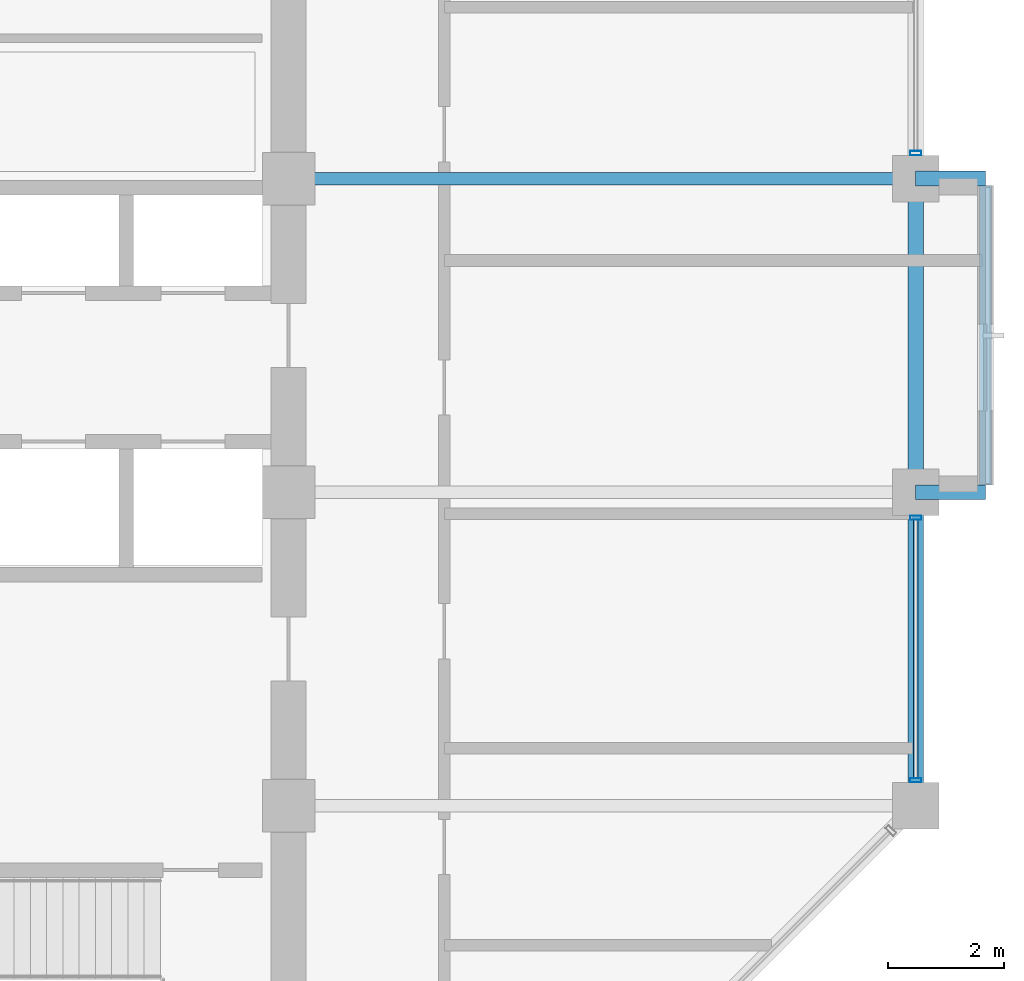
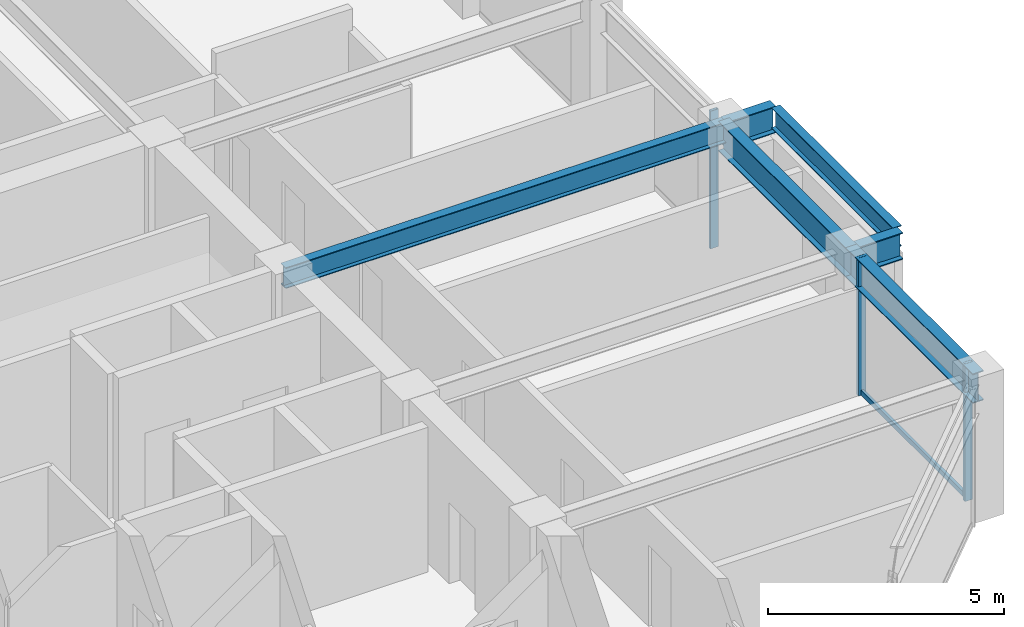
# One storey, part 11 of 28: 6 beams, 4 members, 2 elements without a shape of their own.
"""IFC4 building model written with IfcOpenShell, lengths in metres."""

from ifc_helpers import new_model, si_unit, direction, frame, origin, origin_2d, place, context, subcontext, project, spatial, hollow_rectangle, i_section, extrude, material, layer, layer_set, material_profile, profile_set, type_object, element, aggregate, save


model = new_model("IFC4")

# Units and contexts
model_context = context("Model", 3, precision=1e-05, world=origin(), true_north=direction((0.0, 1.0)))
body_context = subcontext(model_context, "Body", "Model", "MODEL_VIEW")
ifc_project = project(units=[si_unit("LENGTHUNIT", "METRE"), si_unit("AREAUNIT", "SQUARE_METRE"), si_unit("VOLUMEUNIT", "CUBIC_METRE"), si_unit("PLANEANGLEUNIT", "RADIAN"), si_unit("MASSUNIT", "GRAM", prefix="KILO")], contexts=[model_context])

# Site, building, storey
site_placement = place(None, origin())
site = spatial("IfcSite", under=ifc_project, at=site_placement, CompositionType="ELEMENT")
building_placement = place(site_placement, origin())
building = spatial("IfcBuilding", under=site, at=building_placement, Name="Surkhivell Harbour Commons", CompositionType="ELEMENT")
storey_placement = place(building_placement, frame((0.0, 0.0, 242.25)))
storey = spatial("IfcBuildingStorey", under=building, at=storey_placement, Name="L63", CompositionType="ELEMENT", Elevation=242.25)

# Beams
ifc_material_1 = material(Name="Steel S460", Category="steel")
ifc_material_profile_1 = material_profile(ifc_material_1, i_section(OverallWidth=0.256103515625, OverallDepth=0.693115234375, WebThickness=0.014404296875, FlangeThickness=0.023681640625, at=origin_2d()), Name="UB686x254x170")
ifc_profile_set_1 = profile_set([ifc_material_profile_1], Name="Steel S460")
beam_type_1 = type_object("IfcBeamType", Name="BM-CNT-686", PredefinedType="BEAM", material=ifc_profile_set_1)
for number, where, z_axis, x_axis, name in (
    (1, (21.60009765625, 0.0, 3.223388671875), (1.0, 0.0, 0.0), (0.0, 1.0, 0.0), "L63 Box Cantilever Outrigger (21.6,0.0)"),
    (2, (21.60009765625, 5.39990234375, 3.223388671875), (1.0, 0.0, 0.0), (0.0, 1.0, 0.0), "L63 Box Cantilever Outrigger (21.6,5.4)"),
):
    element("IfcBeam", number, at=place(storey_placement, frame(where, z_axis=z_axis, x_axis=x_axis)), inside=storey, type_object=beam_type_1, Name=name, PredefinedType="BEAM", context=body_context, shape_type="SweptSolid", body=[
        extrude(i_section(OverallWidth=0.256103515625, OverallDepth=0.693115234375, WebThickness=0.014404296875, FlangeThickness=0.023681640625, at=origin_2d()), origin(), (0.0, 0.0, 1.0), 1.199951171875),
    ])
ifc_material_2 = material(Name="Steel S355", Category="steel")
ifc_material_profile_2 = material_profile(ifc_material_2, i_section(OverallWidth=0.2119140625, OverallDepth=0.5439453125, WebThickness=0.0126953125, FlangeThickness=0.021240234375, at=origin_2d()), Name="UB533x210x122")
ifc_profile_set_2 = profile_set([ifc_material_profile_2], Name="Steel S355")
beam_type_2 = type_object("IfcBeamType", Name="BM-GRD-533A", PredefinedType="BEAM", material=ifc_profile_set_2)
beam_1_placement = place(storey_placement, frame((10.800048828125, 5.39990234375, 3.298095703125), z_axis=(1.0, 0.0, 0.0), x_axis=(0.0, 1.0, 0.0)))
element("IfcBeam", 3, at=beam_1_placement, inside=storey, type_object=beam_type_2, Name="L63 Floor Girder (10.8,5.4)", PredefinedType="BEAM", context=body_context, shape_type="SweptSolid", body=[
    extrude(i_section(OverallWidth=0.2119140625, OverallDepth=0.5439453125, WebThickness=0.0126953125, FlangeThickness=0.021240234375, at=origin_2d()), origin(), (0.0, 0.0, 1.0), 10.800048828125),
])
ifc_material_profile_3 = material_profile(ifc_material_2, i_section(OverallWidth=0.2099609375, OverallDepth=0.537109375, WebThickness=0.0107421875, FlangeThickness=0.017333984375, at=origin_2d()), Name="UB533x210x101")
ifc_profile_set_3 = profile_set([ifc_material_profile_3], Name="Steel S355")
beam_type_3 = type_object("IfcBeamType", Name="BM-GRD-533B", PredefinedType="BEAM", material=ifc_profile_set_3)
beam_2_placement = place(storey_placement, frame((22.800048828125, 0.1220703125, 3.301513671875), z_axis=(0.0, 1.0, 0.0), x_axis=(-1.0, 0.0, 0.0)))
element("IfcBeam", 4, at=beam_2_placement, inside=storey, type_object=beam_type_3, Name="L63 Box Rim Spandrel (22.8,0.0)", PredefinedType="BEAM", context=body_context, shape_type="SweptSolid", body=[
    extrude(i_section(OverallWidth=0.2099609375, OverallDepth=0.537109375, WebThickness=0.0107421875, FlangeThickness=0.017333984375, at=origin_2d()), origin(), (0.0, 0.0, 1.0), 5.156005859375),
])
ifc_material_profile_4 = material_profile(ifc_material_2, i_section(OverallWidth=0.26806640625, OverallDepth=0.77001953125, WebThickness=0.015625, FlangeThickness=0.025390625, at=origin_2d()), Name="UB762x267x197")
ifc_profile_set_4 = profile_set([ifc_material_profile_4], Name="Steel S355")
beam_type_4 = type_object("IfcBeamType", Name="BM-SPN-762", PredefinedType="SPANDREL", material=ifc_profile_set_4)
for number, where, z_axis, x_axis, name in (
    (5, (21.60009765625, -5.39990234375, 3.18505859375), (0.0, 1.0, 0.0), (-1.0, 0.0, 0.0), "L63 Tube Spandrel (21.6,-5.4)"),
    (6, (21.60009765625, 0.0, 3.18505859375), (0.0, 1.0, 0.0), (-1.0, 0.0, 0.0), "L63 Tube Spandrel (21.6,0.0)"),
):
    element("IfcBeam", number, at=place(storey_placement, frame(where, z_axis=z_axis, x_axis=x_axis)), inside=storey, type_object=beam_type_4, Name=name, PredefinedType="SPANDREL", context=body_context, shape_type="SweptSolid", body=[
        extrude(i_section(OverallWidth=0.26806640625, OverallDepth=0.77001953125, WebThickness=0.015625, FlangeThickness=0.025390625, at=origin_2d()), origin(), (0.0, 0.0, 1.0), 5.39990234375),
    ])

# Curtain wall, members
ifc_material_3 = material(Name="Anodised pale-metal aluminium and insulated glazing", Category="aluminium")
ifc_layer = layer(ifc_material_3, 0.18994140625)
ifc_layer_set = layer_set([ifc_layer], Name="Anodised pale-metal aluminium and insulated glazing")
curtain_wall_type = type_object("IfcCurtainWallType", Name="CW-SYS-Z3", PredefinedType="NOTDEFINED", material=ifc_layer_set)
curtain_wall_1_placement = place(storey_placement, origin())
curtain_wall_1 = element("IfcCurtainWall", 7, at=curtain_wall_1_placement, inside=storey, type_object=curtain_wall_type, Name="L63 Curtain Wall CW-L63-E02R1", PredefinedType="NOTDEFINED")
ifc_material_4 = material(Name="Anodised pale-metal aluminium alloy 6063-T6", Category="aluminium")
ifc_material_profile_5 = material_profile(ifc_material_4, hollow_rectangle(XDim=0.074951171875, YDim=0.18994140625, WallThickness=0.00390625, at=origin_2d()), Name="ALU-MULL-75x190")
ifc_profile_set_5 = profile_set([ifc_material_profile_5], Name="Anodised pale-metal aluminium alloy 6063-T6")
member_type_1 = type_object("IfcMemberType", Name="CWM-190", PredefinedType="MULLION", material=ifc_profile_set_5)
member_1_placement = place(storey_placement, frame((21.60009765625, -4.96044921875, 0.0), z_axis=(0.0, 0.0, 1.0), x_axis=(0.0, 1.0, 0.0)))
member_1 = element("IfcMember", 8, at=member_1_placement, type_object=member_type_1, Name="CW-Z3 mullion 1", PredefinedType="MULLION", context=body_context, shape_type="SweptSolid", body=[
    extrude(hollow_rectangle(XDim=0.074951171875, YDim=0.18994140625, WallThickness=0.00390625, at=origin_2d()), origin(), (0.0, 0.0, 1.0), 3.570068359375),
])
member_2_placement = place(storey_placement, frame((21.60009765625, -0.439453125, 0.0), z_axis=(0.0, 0.0, 1.0), x_axis=(0.0, 1.0, 0.0)))
member_2 = element("IfcMember", 9, at=member_2_placement, type_object=member_type_1, Name="CW-Z3 mullion 2", PredefinedType="MULLION", context=body_context, shape_type="SweptSolid", body=[
    extrude(hollow_rectangle(XDim=0.074951171875, YDim=0.18994140625, WallThickness=0.00390625, at=origin_2d()), origin(), (0.0, 0.0, 1.0), 3.570068359375),
])

# Curtain wall, member
curtain_wall_2_placement = place(storey_placement, origin())
curtain_wall_2 = element("IfcCurtainWall", 10, at=curtain_wall_2_placement, inside=storey, type_object=curtain_wall_type, Name="L63 Curtain Wall CW-L63-E02R2", PredefinedType="NOTDEFINED")
member_3_placement = place(storey_placement, frame((21.60009765625, 5.839599609375, 0.0), z_axis=(0.0, 0.0, 1.0), x_axis=(0.0, 1.0, 0.0)))
member_3 = element("IfcMember", 11, at=member_3_placement, type_object=member_type_1, Name="CW-Z3 mullion 1", PredefinedType="MULLION", context=body_context, shape_type="SweptSolid", body=[
    extrude(hollow_rectangle(XDim=0.074951171875, YDim=0.18994140625, WallThickness=0.00390625, at=origin_2d()), origin(), (0.0, 0.0, 1.0), 3.570068359375),
])
aggregate(curtain_wall_2, [member_3])

# Member
ifc_material_5 = material(Name="Champagne anodised aluminium alloy 6063-T6", Category="aluminium")
ifc_material_profile_6 = material_profile(ifc_material_5, hollow_rectangle(XDim=0.070068359375, YDim=0.1298828125, WallThickness=0.00341796875, at=origin_2d()), Name="ALU-TRAN-70x130")
ifc_profile_set_6 = profile_set([ifc_material_profile_6], Name="Champagne anodised aluminium alloy 6063-T6")
member_type_2 = type_object("IfcMemberType", Name="CWT-130", PredefinedType="USERDEFINED", material=ifc_profile_set_6)
member_4_placement = place(storey_placement, frame((21.60009765625, -4.923095703125, 0.06494140625), z_axis=(0.0, 1.0, 0.0), x_axis=(-1.0, 0.0, 0.0)))
member_4 = element("IfcMember", 12, at=member_4_placement, type_object=member_type_2, Name="CW-Z3 transom 1.1", ObjectType="TRANSOM", PredefinedType="USERDEFINED", context=body_context, shape_type="SweptSolid", body=[
    extrude(hollow_rectangle(XDim=0.070068359375, YDim=0.1298828125, WallThickness=0.00341796875, at=origin_2d()), origin(), (0.0, 0.0, 1.0), 4.446044921875),
])

aggregate(curtain_wall_1, [member_1, member_2, member_4])

save(model, "model.ifc")
